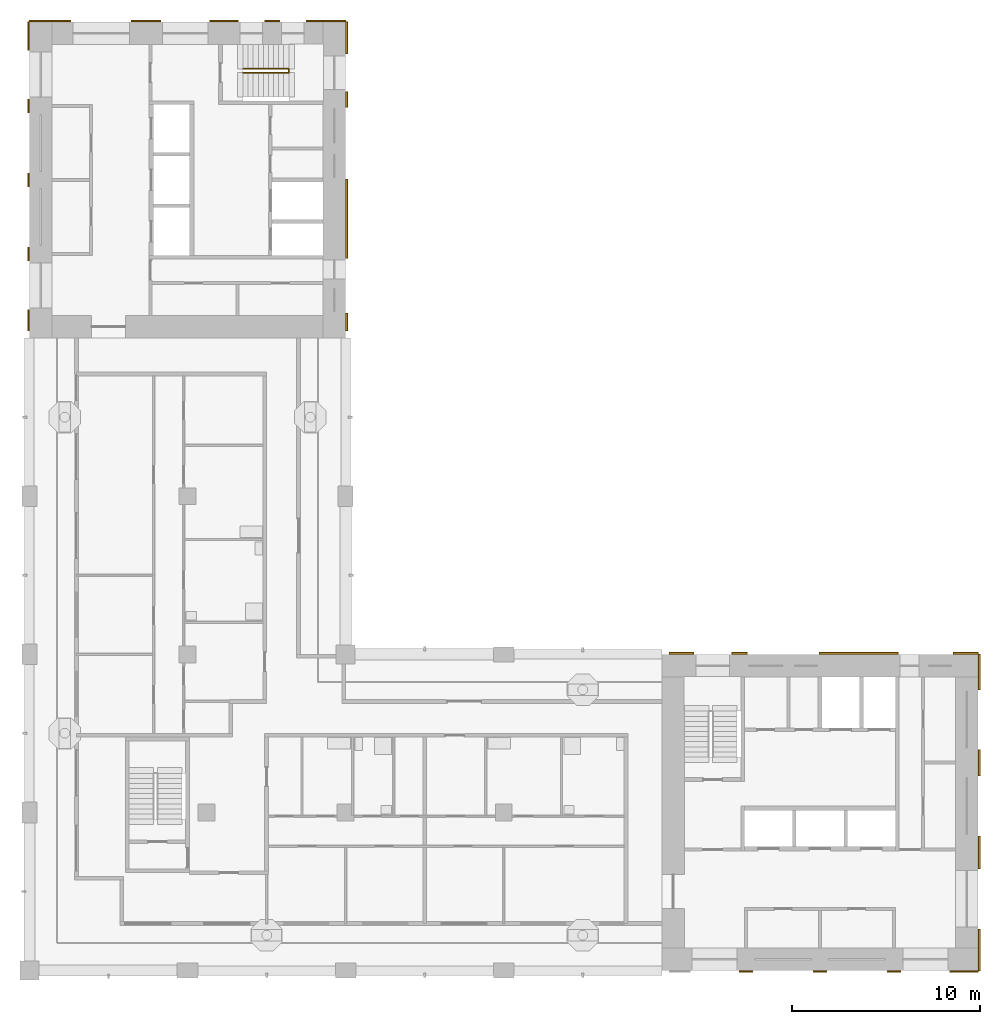
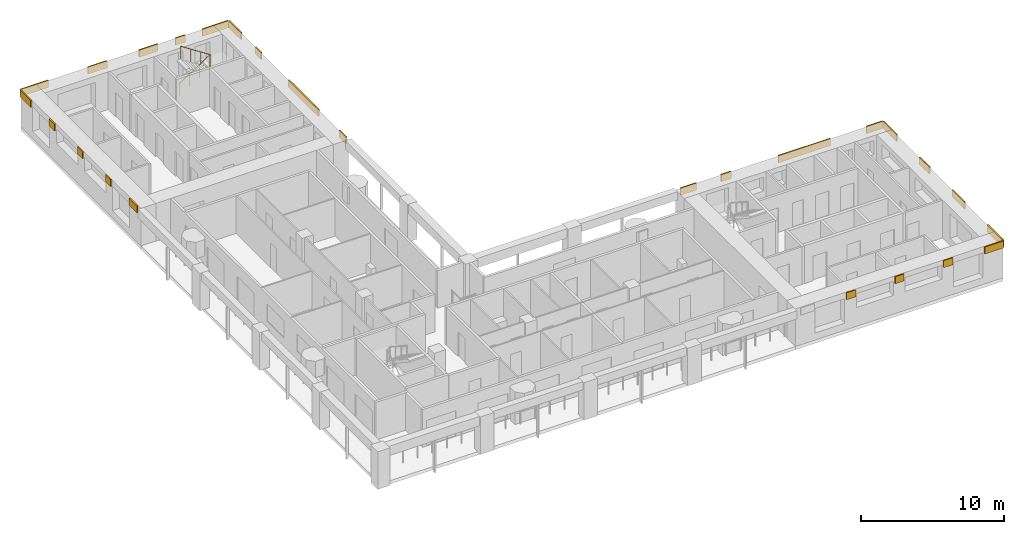
# One storey, part 8 of 11: 26 shading devices, 1 railing.
"""IFC4 building model written with IfcOpenShell, lengths in metres."""

from ifc_helpers import new_model, si_unit, direction, frame, origin, origin_2d, place, context, subcontext, project, spatial, rectangle, circle, extrude, material, layer, layer_set, type_object, element, save


model = new_model("IFC4")

# Units and contexts
model_context = context("Model", 3, precision=1e-05, world=origin(), true_north=direction((0.0, 1.0)))
body_context = subcontext(model_context, "Body", "Model", "MODEL_VIEW")
ifc_project = project(units=[si_unit("LENGTHUNIT", "METRE"), si_unit("AREAUNIT", "SQUARE_METRE"), si_unit("VOLUMEUNIT", "CUBIC_METRE"), si_unit("PLANEANGLEUNIT", "RADIAN"), si_unit("MASSUNIT", "GRAM", prefix="KILO")], contexts=[model_context])

# Site, building, storey
site_placement = place(None, origin())
site = spatial("IfcSite", under=ifc_project, at=site_placement, CompositionType="ELEMENT")
building_placement = place(site_placement, origin())
building = spatial("IfcBuilding", under=site, at=building_placement, Name="Vermilion Gate Residences", CompositionType="ELEMENT")
storey_placement = place(building_placement, frame((0.0, 0.0, 259.699951171875)))
storey = spatial("IfcBuildingStorey", under=building, at=storey_placement, Name="L68", CompositionType="ELEMENT", Elevation=259.699951171875)

# Railing
ifc_material_1 = material(Name="Steel S355", Category="steel")
railing_type = type_object("IfcRailingType", Name="STAIR GUARD 1100 STEEL", PredefinedType="GUARDRAIL", material=ifc_material_1)
railing_placement = place(storey_placement, frame((19.75, 56.300048828125, 0.175048828125)))
element("IfcRailing", 1, at=railing_placement, inside=storey, type_object=railing_type, Name="Stair well guard STB1-68", PredefinedType="GUARDRAIL", context=body_context, shape_type="SweptSolid", body=[
    extrude(circle(Radius=0.02392578125, at=origin_2d()), frame((0.0, 0.0, 1.076171875), z_axis=(0.839153699163, 0.0, 0.543894354798), x_axis=(0.0, 1.0, 0.0)), (0.0, 0.0, 1.0), 2.895751953125),
    extrude(circle(Radius=0.02392578125, at=origin_2d()), frame((2.429931640625, 0.0, 2.65087890625), z_axis=(0.0, -0.752405939678, 0.658699705433), x_axis=(1.0, 0.0, 0.0)), (0.0, 0.0, 1.0), 0.265869140625),
    extrude(circle(Radius=0.02392578125, at=origin_2d()), frame((2.429931640625, -0.199951171875, 2.826171875), z_axis=(-0.839153699163, 0.0, 0.543894354798), x_axis=(0.0, -1.0, 0.0)), (0.0, 0.0, 1.0), 2.895751953125),
    extrude(circle(Radius=0.02099609375, at=origin_2d()), origin(), (0.0, 0.0, 1.0), 1.052001953125),
    extrude(circle(Radius=0.02099609375, at=origin_2d()), frame((0.81005859375, 0.0, 0.52490234375)), (0.0, 0.0, 1.0), 1.052001953125),
    extrude(circle(Radius=0.02099609375, at=origin_2d()), frame((1.619873046875, 0.0, 1.050048828125)), (0.0, 0.0, 1.0), 1.052001953125),
    extrude(circle(Radius=0.02099609375, at=origin_2d()), frame((2.429931640625, 0.0, 1.574951171875)), (0.0, 0.0, 1.0), 1.052001953125),
    extrude(circle(Radius=0.02099609375, at=origin_2d()), frame((2.429931640625, -0.199951171875, 1.75)), (0.0, 0.0, 1.0), 1.052001953125),
    extrude(circle(Radius=0.02099609375, at=origin_2d()), frame((1.619873046875, -0.199951171875, 2.27490234375)), (0.0, 0.0, 1.0), 1.052001953125),
    extrude(circle(Radius=0.02099609375, at=origin_2d()), frame((0.81005859375, -0.199951171875, 2.800048828125)), (0.0, 0.0, 1.0), 1.052001953125),
    extrude(circle(Radius=0.02099609375, at=origin_2d()), frame((0.0, -0.199951171875, 3.324951171875)), (0.0, 0.0, 1.0), 1.052001953125),
])

# Shading devices
ifc_material_2 = material(Name="Extruded terracotta", Category="masonry")
ifc_layer = layer(ifc_material_2, 0.10009765625)
ifc_layer_set = layer_set([ifc_layer], Name="TERRACOTTA SPANDREL BAND 600 X 100")
shading_device_type = type_object("IfcShadingDeviceType", Name="TERRACOTTA SPANDREL BAND 600 X 100", PredefinedType="USERDEFINED", material=ifc_layer_set)
shading_device_1_placement = place(storey_placement, frame((46.46875, 8.35009765625, 2.6201171875), z_axis=(0.0, 0.0, 1.0), x_axis=(1.0, 0.0, 0.0)))
element("IfcShadingDevice", 2, at=shading_device_1_placement, inside=storey, type_object=shading_device_type, Name="SPANDREL BAND", ObjectType="BAND", PredefinedType="USERDEFINED", context=body_context, shape_type="SweptSolid", body=[
    extrude(rectangle(XDim=0.737548828125, YDim=0.10009765625, at=origin_2d()), origin(), (0.0, 0.0, 1.0), 0.60009765625),
])
shading_device_2_placement = place(storey_placement, frame((50.39990234375, 8.35009765625, 2.6201171875), z_axis=(0.0, 0.0, 1.0), x_axis=(1.0, 0.0, 0.0)))
element("IfcShadingDevice", 3, at=shading_device_2_placement, inside=storey, type_object=shading_device_type, Name="SPANDREL BAND", ObjectType="BAND", PredefinedType="USERDEFINED", context=body_context, shape_type="SweptSolid", body=[
    extrude(rectangle(XDim=0.72509765625, YDim=0.10009765625, at=origin_2d()), origin(), (0.0, 0.0, 1.0), 0.60009765625),
])
shading_device_3_placement = place(storey_placement, frame((54.331298828125, 8.35009765625, 2.6201171875), z_axis=(0.0, 0.0, 1.0), x_axis=(1.0, 0.0, 0.0)))
element("IfcShadingDevice", 4, at=shading_device_3_placement, inside=storey, type_object=shading_device_type, Name="SPANDREL BAND", ObjectType="BAND", PredefinedType="USERDEFINED", context=body_context, shape_type="SweptSolid", body=[
    extrude(rectangle(XDim=0.737548828125, YDim=0.10009765625, at=origin_2d()), origin(), (0.0, 0.0, 1.0), 0.60009765625),
])
shading_device_4_placement = place(storey_placement, frame((58.050048828125, 8.35009765625, 2.6201171875), z_axis=(0.0, 0.0, 1.0), x_axis=(1.0, 0.0, 0.0)))
element("IfcShadingDevice", 5, at=shading_device_4_placement, inside=storey, type_object=shading_device_type, Name="SPANDREL BAND", ObjectType="BAND", PredefinedType="USERDEFINED", context=body_context, shape_type="SweptSolid", body=[
    extrude(rectangle(XDim=1.5, YDim=0.10009765625, at=origin_2d()), origin(), (0.0, 0.0, 1.0), 0.60009765625),
])
shading_device_5_placement = place(storey_placement, frame((43.050048828125, 25.25, 2.6201171875), z_axis=(0.0, 0.0, 1.0), x_axis=(1.0, 0.0, 0.0)))
element("IfcShadingDevice", 6, at=shading_device_5_placement, inside=storey, type_object=shading_device_type, Name="SPANDREL BAND", ObjectType="BAND", PredefinedType="USERDEFINED", context=body_context, shape_type="SweptSolid", body=[
    extrude(rectangle(XDim=1.300048828125, YDim=0.10009765625, at=origin_2d()), origin(), (0.0, 0.0, 1.0), 0.60009765625),
])
shading_device_6_placement = place(storey_placement, frame((46.112548828125, 25.25, 2.6201171875), z_axis=(0.0, 0.0, 1.0), x_axis=(1.0, 0.0, 0.0)))
element("IfcShadingDevice", 7, at=shading_device_6_placement, inside=storey, type_object=shading_device_type, Name="SPANDREL BAND", ObjectType="BAND", PredefinedType="USERDEFINED", context=body_context, shape_type="SweptSolid", body=[
    extrude(rectangle(XDim=0.824951171875, YDim=0.10009765625, at=origin_2d()), origin(), (0.0, 0.0, 1.0), 0.60009765625),
])
shading_device_7_placement = place(storey_placement, frame((52.449951171875, 25.25, 2.6201171875), z_axis=(0.0, 0.0, 1.0), x_axis=(1.0, 0.0, 0.0)))
element("IfcShadingDevice", 8, at=shading_device_7_placement, inside=storey, type_object=shading_device_type, Name="SPANDREL BAND", ObjectType="BAND", PredefinedType="USERDEFINED", context=body_context, shape_type="SweptSolid", body=[
    extrude(rectangle(XDim=4.199951171875, YDim=0.10009765625, at=origin_2d()), origin(), (0.0, 0.0, 1.0), 0.60009765625),
])
shading_device_8_placement = place(storey_placement, frame((58.137451171875, 25.25, 2.6201171875), z_axis=(0.0, 0.0, 1.0), x_axis=(1.0, 0.0, 0.0)))
element("IfcShadingDevice", 9, at=shading_device_8_placement, inside=storey, type_object=shading_device_type, Name="SPANDREL BAND", ObjectType="BAND", PredefinedType="USERDEFINED", context=body_context, shape_type="SweptSolid", body=[
    extrude(rectangle(XDim=1.324951171875, YDim=0.10009765625, at=origin_2d()), origin(), (0.0, 0.0, 1.0), 0.60009765625),
])
shading_device_9_placement = place(storey_placement, frame((58.85009765625, 9.50244140625, 2.6201171875), z_axis=(0.0, 0.0, 1.0), x_axis=(0.0, 1.0, 0.0)))
element("IfcShadingDevice", 10, at=shading_device_9_placement, inside=storey, type_object=shading_device_type, Name="SPANDREL BAND", ObjectType="BAND", PredefinedType="USERDEFINED", context=body_context, shape_type="SweptSolid", body=[
    extrude(rectangle(XDim=2.205078125, YDim=0.10009765625, at=origin_2d()), origin(), (0.0, 0.0, 1.0), 0.60009765625),
])
shading_device_10_placement = place(storey_placement, frame((58.85009765625, 14.67138671875, 2.6201171875), z_axis=(0.0, 0.0, 1.0), x_axis=(0.0, 1.0, 0.0)))
element("IfcShadingDevice", 11, at=shading_device_10_placement, inside=storey, type_object=shading_device_type, Name="SPANDREL BAND", ObjectType="BAND", PredefinedType="USERDEFINED", context=body_context, shape_type="SweptSolid", body=[
    extrude(rectangle(XDim=1.732421875, YDim=0.10009765625, at=origin_2d()), origin(), (0.0, 0.0, 1.0), 0.60009765625),
])
shading_device_11_placement = place(storey_placement, frame((58.85009765625, 19.43505859375, 2.6201171875), z_axis=(0.0, 0.0, 1.0), x_axis=(0.0, 1.0, 0.0)))
element("IfcShadingDevice", 12, at=shading_device_11_placement, inside=storey, type_object=shading_device_type, Name="SPANDREL BAND", ObjectType="BAND", PredefinedType="USERDEFINED", context=body_context, shape_type="SweptSolid", body=[
    extrude(rectangle(XDim=1.39501953125, YDim=0.10009765625, at=origin_2d()), origin(), (0.0, 0.0, 1.0), 0.60009765625),
])
shading_device_12_placement = place(storey_placement, frame((58.85009765625, 24.26611328125, 2.6201171875), z_axis=(0.0, 0.0, 1.0), x_axis=(0.0, 1.0, 0.0)))
element("IfcShadingDevice", 13, at=shading_device_12_placement, inside=storey, type_object=shading_device_type, Name="SPANDREL BAND", ObjectType="BAND", PredefinedType="USERDEFINED", context=body_context, shape_type="SweptSolid", body=[
    extrude(rectangle(XDim=1.867431640625, YDim=0.10009765625, at=origin_2d()), origin(), (0.0, 0.0, 1.0), 0.60009765625),
])
shading_device_13_placement = place(storey_placement, frame((9.50244140625, 58.85009765625, 2.6201171875), z_axis=(0.0, 0.0, 1.0), x_axis=(1.0, 0.0, 0.0)))
element("IfcShadingDevice", 14, at=shading_device_13_placement, inside=storey, type_object=shading_device_type, Name="SPANDREL BAND", ObjectType="BAND", PredefinedType="USERDEFINED", context=body_context, shape_type="SweptSolid", body=[
    extrude(rectangle(XDim=2.205078125, YDim=0.10009765625, at=origin_2d()), origin(), (0.0, 0.0, 1.0), 0.60009765625),
])
shading_device_14_placement = place(storey_placement, frame((14.590087890625, 58.85009765625, 2.6201171875), z_axis=(0.0, 0.0, 1.0), x_axis=(1.0, 0.0, 0.0)))
element("IfcShadingDevice", 15, at=shading_device_14_placement, inside=storey, type_object=shading_device_type, Name="SPANDREL BAND", ObjectType="BAND", PredefinedType="USERDEFINED", context=body_context, shape_type="SweptSolid", body=[
    extrude(rectangle(XDim=1.570068359375, YDim=0.10009765625, at=origin_2d()), origin(), (0.0, 0.0, 1.0), 0.60009765625),
])
shading_device_15_placement = place(storey_placement, frame((18.734130859375, 58.85009765625, 2.6201171875), z_axis=(0.0, 0.0, 1.0), x_axis=(1.0, 0.0, 0.0)))
element("IfcShadingDevice", 16, at=shading_device_15_placement, inside=storey, type_object=shading_device_type, Name="SPANDREL BAND", ObjectType="BAND", PredefinedType="USERDEFINED", context=body_context, shape_type="SweptSolid", body=[
    extrude(rectangle(XDim=1.518310546875, YDim=0.10009765625, at=origin_2d()), origin(), (0.0, 0.0, 1.0), 0.60009765625),
])
shading_device_16_placement = place(storey_placement, frame((21.294921875, 58.85009765625, 2.6201171875), z_axis=(0.0, 0.0, 1.0), x_axis=(1.0, 0.0, 0.0)))
element("IfcShadingDevice", 17, at=shading_device_16_placement, inside=storey, type_object=shading_device_type, Name="SPANDREL BAND", ObjectType="BAND", PredefinedType="USERDEFINED", context=body_context, shape_type="SweptSolid", body=[
    extrude(rectangle(XDim=0.803466796875, YDim=0.10009765625, at=origin_2d()), origin(), (0.0, 0.0, 1.0), 0.60009765625),
])
shading_device_17_placement = place(storey_placement, frame((24.1484375, 58.85009765625, 2.6201171875), z_axis=(0.0, 0.0, 1.0), x_axis=(1.0, 0.0, 0.0)))
element("IfcShadingDevice", 18, at=shading_device_17_placement, inside=storey, type_object=shading_device_type, Name="SPANDREL BAND", ObjectType="BAND", PredefinedType="USERDEFINED", context=body_context, shape_type="SweptSolid", body=[
    extrude(rectangle(XDim=2.103271484375, YDim=0.10009765625, at=origin_2d()), origin(), (0.0, 0.0, 1.0), 0.60009765625),
])
shading_device_18_placement = place(storey_placement, frame((8.35009765625, 42.949951171875, 2.6201171875), z_axis=(0.0, 0.0, 1.0), x_axis=(0.0, 1.0, 0.0)))
element("IfcShadingDevice", 19, at=shading_device_18_placement, inside=storey, type_object=shading_device_type, Name="SPANDREL BAND", ObjectType="BAND", PredefinedType="USERDEFINED", context=body_context, shape_type="SweptSolid", body=[
    extrude(rectangle(XDim=1.10009765625, YDim=0.10009765625, at=origin_2d()), origin(), (0.0, 0.0, 1.0), 0.60009765625),
])
shading_device_19_placement = place(storey_placement, frame((8.35009765625, 46.46875, 2.6201171875), z_axis=(0.0, 0.0, 1.0), x_axis=(0.0, 1.0, 0.0)))
element("IfcShadingDevice", 20, at=shading_device_19_placement, inside=storey, type_object=shading_device_type, Name="SPANDREL BAND", ObjectType="BAND", PredefinedType="USERDEFINED", context=body_context, shape_type="SweptSolid", body=[
    extrude(rectangle(XDim=0.737548828125, YDim=0.10009765625, at=origin_2d()), origin(), (0.0, 0.0, 1.0), 0.60009765625),
])
shading_device_20_placement = place(storey_placement, frame((8.35009765625, 50.39990234375, 2.6201171875), z_axis=(0.0, 0.0, 1.0), x_axis=(0.0, 1.0, 0.0)))
element("IfcShadingDevice", 21, at=shading_device_20_placement, inside=storey, type_object=shading_device_type, Name="SPANDREL BAND", ObjectType="BAND", PredefinedType="USERDEFINED", context=body_context, shape_type="SweptSolid", body=[
    extrude(rectangle(XDim=0.72509765625, YDim=0.10009765625, at=origin_2d()), origin(), (0.0, 0.0, 1.0), 0.60009765625),
])
shading_device_21_placement = place(storey_placement, frame((8.35009765625, 54.331298828125, 2.6201171875), z_axis=(0.0, 0.0, 1.0), x_axis=(0.0, 1.0, 0.0)))
element("IfcShadingDevice", 22, at=shading_device_21_placement, inside=storey, type_object=shading_device_type, Name="SPANDREL BAND", ObjectType="BAND", PredefinedType="USERDEFINED", context=body_context, shape_type="SweptSolid", body=[
    extrude(rectangle(XDim=0.737548828125, YDim=0.10009765625, at=origin_2d()), origin(), (0.0, 0.0, 1.0), 0.60009765625),
])
shading_device_22_placement = place(storey_placement, frame((8.35009765625, 58.050048828125, 2.6201171875), z_axis=(0.0, 0.0, 1.0), x_axis=(0.0, 1.0, 0.0)))
element("IfcShadingDevice", 23, at=shading_device_22_placement, inside=storey, type_object=shading_device_type, Name="SPANDREL BAND", ObjectType="BAND", PredefinedType="USERDEFINED", context=body_context, shape_type="SweptSolid", body=[
    extrude(rectangle(XDim=1.5, YDim=0.10009765625, at=origin_2d()), origin(), (0.0, 0.0, 1.0), 0.60009765625),
])
shading_device_23_placement = place(storey_placement, frame((25.25, 42.862548828125, 2.6201171875), z_axis=(0.0, 0.0, 1.0), x_axis=(0.0, 1.0, 0.0)))
element("IfcShadingDevice", 24, at=shading_device_23_placement, inside=storey, type_object=shading_device_type, Name="SPANDREL BAND", ObjectType="BAND", PredefinedType="USERDEFINED", context=body_context, shape_type="SweptSolid", body=[
    extrude(rectangle(XDim=0.925048828125, YDim=0.10009765625, at=origin_2d()), origin(), (0.0, 0.0, 1.0), 0.60009765625),
])
shading_device_24_placement = place(storey_placement, frame((25.25, 48.35009765625, 2.6201171875), z_axis=(0.0, 0.0, 1.0), x_axis=(0.0, 1.0, 0.0)))
element("IfcShadingDevice", 25, at=shading_device_24_placement, inside=storey, type_object=shading_device_type, Name="SPANDREL BAND", ObjectType="BAND", PredefinedType="USERDEFINED", context=body_context, shape_type="SweptSolid", body=[
    extrude(rectangle(XDim=4.199951171875, YDim=0.10009765625, at=origin_2d()), origin(), (0.0, 0.0, 1.0), 0.60009765625),
])
shading_device_25_placement = place(storey_placement, frame((25.25, 54.6875, 2.6201171875), z_axis=(0.0, 0.0, 1.0), x_axis=(0.0, 1.0, 0.0)))
element("IfcShadingDevice", 26, at=shading_device_25_placement, inside=storey, type_object=shading_device_type, Name="SPANDREL BAND", ObjectType="BAND", PredefinedType="USERDEFINED", context=body_context, shape_type="SweptSolid", body=[
    extrude(rectangle(XDim=0.824951171875, YDim=0.10009765625, at=origin_2d()), origin(), (0.0, 0.0, 1.0), 0.60009765625),
])
shading_device_26_placement = place(storey_placement, frame((25.25, 57.949951171875, 2.6201171875), z_axis=(0.0, 0.0, 1.0), x_axis=(0.0, 1.0, 0.0)))
element("IfcShadingDevice", 27, at=shading_device_26_placement, inside=storey, type_object=shading_device_type, Name="SPANDREL BAND", ObjectType="BAND", PredefinedType="USERDEFINED", context=body_context, shape_type="SweptSolid", body=[
    extrude(rectangle(XDim=1.699951171875, YDim=0.10009765625, at=origin_2d()), origin(), (0.0, 0.0, 1.0), 0.60009765625),
])

save(model, "model.ifc")
